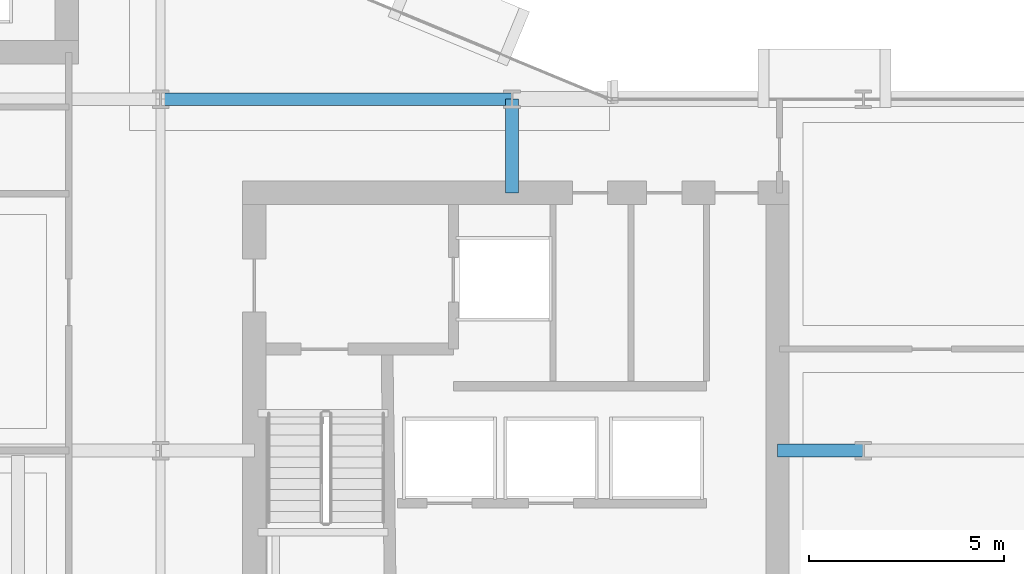
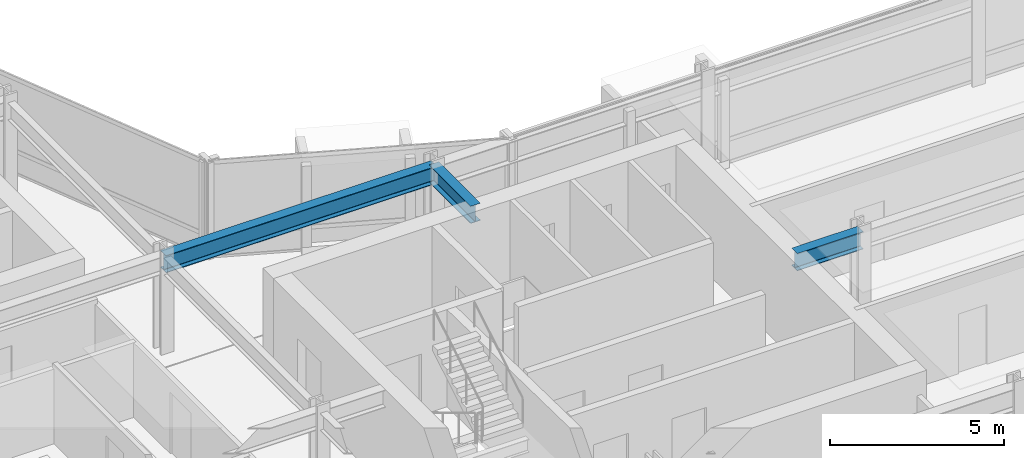
# One storey, part 14 of 34: 3 beams.
"""IFC4 building model written with IfcOpenShell, lengths in metres."""

import ifcopenshell
import ifcopenshell.guid

model = None  # the IFC model being written
_history = None  # IfcOwnerHistory: only IFC2X3 demands one
_inside = {}  # id of a spatial element -> (the spatial element, [elements in it])
_under = {}  # id of a project, library or spatial element -> (it, [spatial elements below it])
_declared = {}  # id of a project -> (the project, [libraries it declares])
_typed = {}  # id of a type object -> (the type object, [elements of that type])
_made_of = {}  # id of a material, layer set ... -> (it, [elements and type objects made of it])


def new_model(schema):
    """Start an empty IFC model of exactly this schema.

    Asked for "IFC4X3", IfcOpenShell would pick the latest addendum, in which some entities
    have other attributes; the version numbers below select the first issue.
    IFC2X3 requires an IfcOwnerHistory on every rooted entity: one is made here for all.
    """
    global model, _history
    if schema == "IFC4X3":
        model = ifcopenshell.file(schema_version=(4, 3, 0, 0))
    else:
        model = ifcopenshell.file(schema=schema)
    _inside.clear()
    _under.clear()
    _declared.clear()
    _typed.clear()
    _made_of.clear()
    _history = None
    if model.schema == "IFC2X3":
        org = make("IfcOrganization", Name="unknown")
        user = make(
            "IfcPersonAndOrganization",
            ThePerson=make("IfcPerson", FamilyName="unknown"),
            TheOrganization=org,
        )
        app = make(
            "IfcApplication",
            ApplicationDeveloper=org,
            Version="unknown",
            ApplicationFullName="unknown",
            ApplicationIdentifier="unknown",
        )
        _history = make(
            "IfcOwnerHistory",
            OwningUser=user,
            OwningApplication=app,
            ChangeAction="ADDED",
            CreationDate=0,
        )
    return model


def make(cls, **values):
    """One entity of the class cls with the attributes given. An attribute that is None is left unset."""
    return model.create_entity(
        cls, **{name: value for name, value in values.items() if value is not None}
    )


def rooted(cls, **values):
    """An entity with a GlobalId (a new one), such as an element, a storey or a relation."""
    return make(cls, GlobalId=ifcopenshell.guid.new(), OwnerHistory=_history, **values)


def si_unit(unit_type, name, prefix=None):
    """IfcSIUnit, for example si_unit("LENGTHUNIT", "METRE", prefix="MILLI")."""
    return make("IfcSIUnit", UnitType=unit_type, Prefix=prefix, Name=name)


def assignment(units):
    """IfcUnitAssignment: the units of a project."""
    return None if units is None else make("IfcUnitAssignment", Units=units)


def point(xyz):
    """IfcCartesianPoint."""
    return None if xyz is None else make("IfcCartesianPoint", Coordinates=xyz)


def direction(xyz):
    """IfcDirection."""
    return None if xyz is None else make("IfcDirection", DirectionRatios=xyz)


def frame(location, z_axis=None, x_axis=None):
    """IfcAxis2Placement3D, a coordinate frame: its origin and axes. An axis left out is left unset."""
    return make(
        "IfcAxis2Placement3D",
        Location=point(location),
        Axis=direction(z_axis),
        RefDirection=direction(x_axis),
    )


def frame_2d(location, x_axis=None):
    """IfcAxis2Placement2D, a coordinate frame in the plane: its origin and x axis."""
    return make(
        "IfcAxis2Placement2D", Location=point(location), RefDirection=direction(x_axis)
    )


def origin():
    """The frame at (0, 0, 0) with its axes left unset."""
    return frame((0.0, 0.0, 0.0))


def origin_2d():
    """The frame at (0, 0) in the plane with its x axis left unset."""
    return frame_2d((0.0, 0.0))


def place(relative_to, where):
    """IfcLocalPlacement: puts the frame where relative to a parent placement (None: the world)."""
    return make(
        "IfcLocalPlacement", PlacementRelTo=relative_to, RelativePlacement=where
    )


def context(
    kind, dimensions, precision=None, world=None, true_north=None, identifier=None
):
    """IfcGeometricRepresentationContext, for example the 3D "Model" context."""
    return make(
        "IfcGeometricRepresentationContext",
        ContextIdentifier=identifier,
        ContextType=kind,
        CoordinateSpaceDimension=dimensions,
        Precision=precision,
        WorldCoordinateSystem=world,
        TrueNorth=true_north,
    )


def subcontext(parent, identifier, kind, view, scale=None):
    """IfcGeometricRepresentationSubContext, for example "Body" below "Model"."""
    return make(
        "IfcGeometricRepresentationSubContext",
        ContextIdentifier=identifier,
        ContextType=kind,
        ParentContext=parent,
        TargetScale=scale,
        TargetView=view,
    )


def project(units=None, contexts=None):
    """IfcProject with its units and contexts."""
    return rooted(
        "IfcProject",
        Name="project",
        RepresentationContexts=contexts,
        UnitsInContext=assignment(units),
    )


def spatial(cls, under=None, at=None, **own):
    """A site, building, storey or space (cls), placed at a placement, below another one or the project."""
    s = rooted(cls, ObjectPlacement=at, **own)
    if under is not None:
        _under.setdefault(under.id(), (under, []))[1].append(s)
    return s


def profile(cls, at=None, kind="AREA", **sizes):
    """A parametric profile (cls). Its sizes go by their IFC names, for example OverallWidth=200.0."""
    return make(cls, ProfileType=kind, Position=at, **sizes)


def i_section(**sizes):
    """IfcIShapeProfileDef."""
    return profile("IfcIShapeProfileDef", **sizes)


def extrude(swept, where, along, depth):
    """IfcExtrudedAreaSolid: the profile swept, set in the frame where, extruded along a direction by depth."""
    return make(
        "IfcExtrudedAreaSolid",
        SweptArea=swept,
        Position=where,
        ExtrudedDirection=direction(along),
        Depth=depth,
    )


def shape(context_of_items, identifier, shape_type, items):
    """IfcShapeRepresentation: the items that make up one representation, for example the "Body"."""
    return make(
        "IfcShapeRepresentation",
        ContextOfItems=context_of_items,
        RepresentationIdentifier=identifier,
        RepresentationType=shape_type,
        Items=items,
    )


def material(Name=None, Category=None):
    """IfcMaterial."""
    return make("IfcMaterial", Name=Name, Category=Category)


def material_profile(
    of_material, cross_section, Name=None, Category=None, Priority=None
):
    """IfcMaterialProfile: a cross section and its material."""
    return make(
        "IfcMaterialProfile",
        Name=Name,
        Material=of_material,
        Profile=cross_section,
        Priority=Priority,
        Category=Category,
    )


def profile_set(profiles, Name=None, composite=None):
    """IfcMaterialProfileSet."""
    return make(
        "IfcMaterialProfileSet",
        Name=Name,
        MaterialProfiles=profiles,
        CompositeProfile=composite,
    )


def made_of(thing, what):
    """Note that an element or type object is made of a material, layer set ...; save() writes the relation."""
    if what is not None:
        _made_of.setdefault(what.id(), (what, []))[1].append(thing)
    return thing


def type_object(cls, material=None, **own):
    """A type object (cls), such as IfcWallType, which elements share."""
    return made_of(rooted(cls, **own), material)


def element(
    cls,
    number,
    at=None,
    inside=None,
    cuts=None,
    type_object=None,
    material=None,
    context=None,
    identifier="Body",
    shape_type=None,
    held_by="IfcProductDefinitionShape",
    body=None,
    shapes=None,
    **own,
):
    """One element of the class cls, such as IfcWall. Its Tag is "e" and its number.

    at: its placement. inside: the storey or other place that contains it. cuts: it is an
    opening in that element (IfcRelVoidsElement). A single representation is given by context,
    identifier, shape_type and body (its items); several are given by shapes. held_by: the class
    of the entity that holds the representations. save() writes the other relations.
    """
    e = rooted(cls, Tag="e%d" % number, ObjectPlacement=at, **own)
    if body is not None:
        shapes = [shape(context, identifier, shape_type, body)]
    if shapes is not None:
        e.Representation = make(held_by, Representations=shapes)
    if inside is not None:
        _inside.setdefault(inside.id(), (inside, []))[1].append(e)
    if cuts is not None:
        rooted(
            "IfcRelVoidsElement", RelatingBuildingElement=cuts, RelatedOpeningElement=e
        )
    if type_object is not None:
        _typed.setdefault(type_object.id(), (type_object, []))[1].append(e)
    return made_of(e, material)


def aggregate(whole, parts):
    """IfcRelAggregates: a whole, such as a stair, and the parts it consists of."""
    return rooted("IfcRelAggregates", RelatingObject=whole, RelatedObjects=parts)


def save(model, path):
    """Write the relations noted so far, then the file.

    IfcRelAggregates (storeys below a building ...), IfcRelContainedInSpatialStructure (elements
    in a storey), IfcRelDefinesByType, IfcRelAssociatesMaterial and IfcRelDeclares: one each for
    every whole, place, type object, material and project.
    """
    for whole, parts in _under.values():
        aggregate(whole, parts)
    for where, things in _inside.values():
        rooted(
            "IfcRelContainedInSpatialStructure",
            RelatedElements=things,
            RelatingStructure=where,
        )
    for kind, things in _typed.values():
        rooted("IfcRelDefinesByType", RelatedObjects=things, RelatingType=kind)
    for what, things in _made_of.values():
        rooted("IfcRelAssociatesMaterial", RelatedObjects=things, RelatingMaterial=what)
    for by, libraries in _declared.values():
        rooted("IfcRelDeclares", RelatingContext=by, RelatedDefinitions=libraries)
    model.write(path)


model = new_model("IFC4")

# Units and contexts
model_context = context("Model", 3, precision=1e-05, world=origin(), true_north=direction((0.0, 1.0)))
body_context = subcontext(model_context, "Body", "Model", "MODEL_VIEW")
ifc_project = project(units=[si_unit("LENGTHUNIT", "METRE"), si_unit("AREAUNIT", "SQUARE_METRE"), si_unit("VOLUMEUNIT", "CUBIC_METRE"), si_unit("PLANEANGLEUNIT", "RADIAN"), si_unit("MASSUNIT", "GRAM", prefix="KILO")], contexts=[model_context])

# Site, building, storey
site_placement = place(None, origin())
site = spatial("IfcSite", under=ifc_project, at=site_placement, CompositionType="ELEMENT")
building_placement = place(site_placement, origin())
building = spatial("IfcBuilding", under=site, at=building_placement, Name="Solvaryn Broadcast Tower", CompositionType="ELEMENT")
storey_placement = place(building_placement, frame((0.0, 0.0, 76.699951171875)))
storey = spatial("IfcBuildingStorey", under=building, at=storey_placement, Name="L18", CompositionType="ELEMENT", Elevation=76.699951171875)

# Beams
ifc_material = material(Name="Steel ASTM A992 Grade 50", Category="steel")
ifc_material_profile = material_profile(ifc_material, i_section(OverallWidth=0.323974609375, OverallDepth=0.611083984375, WebThickness=0.0126953125, FlangeThickness=0.01904296875, FilletRadius=0.014892578125, at=origin_2d()))
ifc_profile_set = profile_set([ifc_material_profile], Name="Steel ASTM A992 Grade 50")
beam_type = type_object("IfcBeamType", Name="BM-B1-W24X104", PredefinedType="BEAM", material=ifc_profile_set)
beam_1_placement = place(storey_placement, frame((27.0, 27.0, 3.114501953125), z_axis=(1.0, 0.0, 0.0), x_axis=(0.0, 1.0, 0.0)))
element("IfcBeam", 1, at=beam_1_placement, inside=storey, type_object=beam_type, Name="L18 Primary Beam X (27-36 @ Y=27)", PredefinedType="BEAM", context=body_context, shape_type="SweptSolid", body=[
    extrude(i_section(OverallWidth=0.323974609375, OverallDepth=0.611083984375, WebThickness=0.0126953125, FlangeThickness=0.01904296875, FilletRadius=0.014892578125, at=origin_2d()), origin(), (0.0, 0.0, 1.0), 9.0),
])
beam_2_placement = place(storey_placement, frame((36.0, 24.60009765625, 3.114501953125), z_axis=(0.0, 1.0, 0.0), x_axis=(-1.0, 0.0, 0.0)))
element("IfcBeam", 2, at=beam_2_placement, inside=storey, type_object=beam_type, Name="L18 Core Tie Beam CTE2", PredefinedType="BEAM", context=body_context, shape_type="SweptSolid", body=[
    extrude(i_section(OverallWidth=0.323974609375, OverallDepth=0.611083984375, WebThickness=0.0126953125, FlangeThickness=0.01904296875, FilletRadius=0.014892578125, at=origin_2d()), origin(), (0.0, 0.0, 1.0), 2.39990234375),
])
beam_3_placement = place(storey_placement, frame((42.800048828125, 18.0, 3.114501953125), z_axis=(1.0, 0.0, 0.0), x_axis=(0.0, 1.0, 0.0)))
element("IfcBeam", 3, at=beam_3_placement, inside=storey, type_object=beam_type, Name="L18 Core Tie Beam CTE3", PredefinedType="BEAM", context=body_context, shape_type="SweptSolid", body=[
    extrude(i_section(OverallWidth=0.323974609375, OverallDepth=0.611083984375, WebThickness=0.0126953125, FlangeThickness=0.01904296875, FilletRadius=0.014892578125, at=origin_2d()), origin(), (0.0, 0.0, 1.0), 2.199951171875),
])

save(model, "model.ifc")
